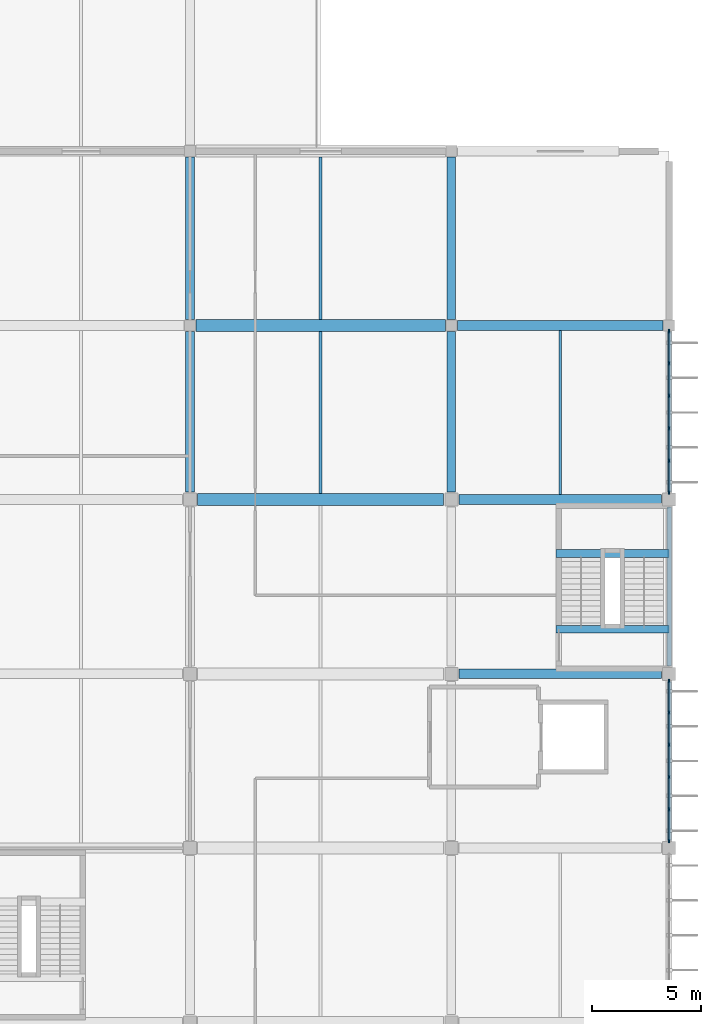
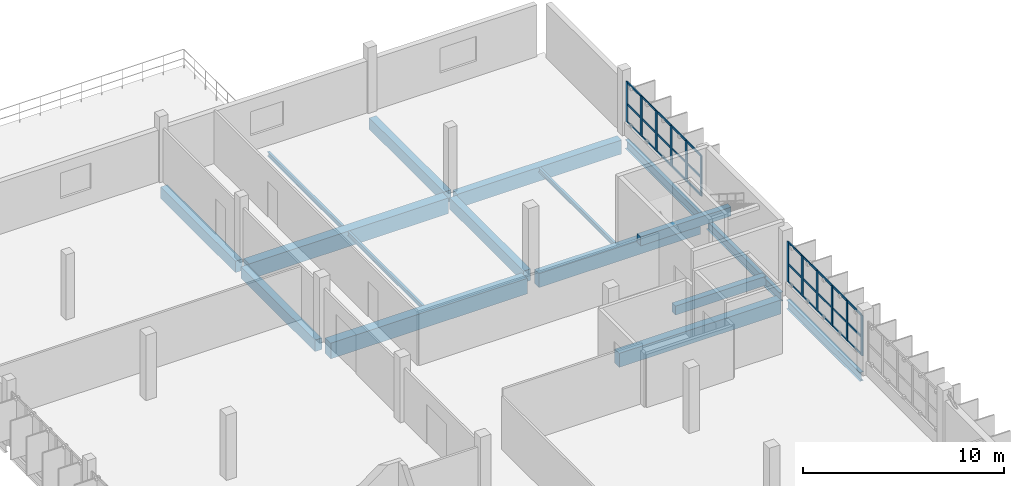
# One storey, part 34 of 66: 42 members, 17 beams, 2 elements without a shape of their own.
"""IFC4 building model written with IfcOpenShell, lengths in metres."""

from ifc_helpers import new_model, si_unit, direction, frame, origin, origin_2d, place, context, subcontext, project, spatial, rectangle, i_section, extrude, material, layer, layer_set, material_profile, profile_set, type_object, element, aggregate, save


model = new_model("IFC4")

# Units and contexts
model_context = context("Model", 3, precision=1e-05, world=origin(), true_north=direction((0.0, 1.0)))
body_context = subcontext(model_context, "Body", "Model", "MODEL_VIEW")
ifc_project = project(units=[si_unit("LENGTHUNIT", "METRE"), si_unit("AREAUNIT", "SQUARE_METRE"), si_unit("VOLUMEUNIT", "CUBIC_METRE"), si_unit("PLANEANGLEUNIT", "RADIAN"), si_unit("MASSUNIT", "GRAM", prefix="KILO")], contexts=[model_context])

# Site, building, storey
site_placement = place(None, origin())
site = spatial("IfcSite", under=ifc_project, at=site_placement, CompositionType="ELEMENT")
building_placement = place(site_placement, origin())
building = spatial("IfcBuilding", under=site, at=building_placement, Name="Drelvana Railside Aquatics Centre", CompositionType="ELEMENT")
storey_placement = place(building_placement, frame((0.0, 0.0, 10.199951171875)))
storey = spatial("IfcBuildingStorey", under=building, at=storey_placement, Name="L02", CompositionType="ELEMENT", Elevation=10.199951171875)

# Curtain wall, members
ifc_material_1 = material(Name="Bronze-anodised aluminium curtain wall", Category="aluminium")
ifc_layer = layer(ifc_material_1, 0.175048828125, Name="Bronze-anodised aluminium curtain wall")
ifc_layer_set = layer_set([ifc_layer], Name="Bronze-anodised aluminium curtain wall")
curtain_wall_type = type_object("IfcCurtainWallType", Name="CW-Z6-WING", PredefinedType="NOTDEFINED", material=ifc_layer_set)
curtain_wall_1_placement = place(storey_placement, origin())
curtain_wall_1 = element("IfcCurtainWall", 1, at=curtain_wall_1_placement, inside=storey, type_object=curtain_wall_type, Name="Curtain wall CW-06-181", PredefinedType="NOTDEFINED")
ifc_material_2 = material(Name="Bronze-anodised aluminium 6063-T6", Category="aluminium")
ifc_material_profile_1 = material_profile(ifc_material_2, rectangle(XDim=0.06494140625, YDim=0.175048828125, at=origin_2d()), Name="ALU-M 65x175")
ifc_profile_set_1 = profile_set([ifc_material_profile_1], Name="Bronze-anodised aluminium 6063-T6")
member_type_1 = type_object("IfcMemberType", Name="CW-Z6-WING-MUL", PredefinedType="MULLION", material=ifc_profile_set_1)
member_1_placement = place(storey_placement, frame((184.0, 64.326416015625, 0.7939453125), z_axis=(0.0, 0.0, 1.0), x_axis=(-1.0, 0.0, 0.0)))
member_1 = element("IfcMember", 2, at=member_1_placement, type_object=member_type_1, Name="CW-06 mullion 1", PredefinedType="MULLION", context=body_context, shape_type="SweptSolid", body=[
    extrude(rectangle(XDim=0.06494140625, YDim=0.175048828125, at=origin_2d()), origin(), (0.0, 0.0, 1.0), 2.4560546875),
])
member_2_placement = place(storey_placement, frame((184.0, 65.7763671875, 0.7939453125), z_axis=(0.0, 0.0, 1.0), x_axis=(-1.0, 0.0, 0.0)))
member_2 = element("IfcMember", 3, at=member_2_placement, type_object=member_type_1, Name="CW-06 mullion 2", PredefinedType="MULLION", context=body_context, shape_type="SweptSolid", body=[
    extrude(rectangle(XDim=0.06494140625, YDim=0.175048828125, at=origin_2d()), origin(), (0.0, 0.0, 1.0), 2.4560546875),
])
member_3_placement = place(storey_placement, frame((184.0, 67.2587890625, 0.7939453125), z_axis=(0.0, 0.0, 1.0), x_axis=(-1.0, 0.0, 0.0)))
member_3 = element("IfcMember", 4, at=member_3_placement, type_object=member_type_1, Name="CW-06 mullion 3", PredefinedType="MULLION", context=body_context, shape_type="SweptSolid", body=[
    extrude(rectangle(XDim=0.06494140625, YDim=0.175048828125, at=origin_2d()), origin(), (0.0, 0.0, 1.0), 2.4560546875),
])
member_4_placement = place(storey_placement, frame((184.0, 68.7412109375, 0.7939453125), z_axis=(0.0, 0.0, 1.0), x_axis=(-1.0, 0.0, 0.0)))
member_4 = element("IfcMember", 5, at=member_4_placement, type_object=member_type_1, Name="CW-06 mullion 4", PredefinedType="MULLION", context=body_context, shape_type="SweptSolid", body=[
    extrude(rectangle(XDim=0.06494140625, YDim=0.175048828125, at=origin_2d()), origin(), (0.0, 0.0, 1.0), 2.4560546875),
])
member_5_placement = place(storey_placement, frame((184.0, 70.2236328125, 0.7939453125), z_axis=(0.0, 0.0, 1.0), x_axis=(-1.0, 0.0, 0.0)))
member_5 = element("IfcMember", 6, at=member_5_placement, type_object=member_type_1, Name="CW-06 mullion 5", PredefinedType="MULLION", context=body_context, shape_type="SweptSolid", body=[
    extrude(rectangle(XDim=0.06494140625, YDim=0.175048828125, at=origin_2d()), origin(), (0.0, 0.0, 1.0), 2.4560546875),
])
member_6_placement = place(storey_placement, frame((184.0, 71.673583984375, 0.7939453125), z_axis=(0.0, 0.0, 1.0), x_axis=(-1.0, 0.0, 0.0)))
member_6 = element("IfcMember", 7, at=member_6_placement, type_object=member_type_1, Name="CW-06 mullion 6", PredefinedType="MULLION", context=body_context, shape_type="SweptSolid", body=[
    extrude(rectangle(XDim=0.06494140625, YDim=0.175048828125, at=origin_2d()), origin(), (0.0, 0.0, 1.0), 2.4560546875),
])

curtain_wall_2_placement = place(storey_placement, origin())
curtain_wall_2 = element("IfcCurtainWall", 8, at=curtain_wall_2_placement, inside=storey, type_object=curtain_wall_type, Name="Curtain wall CW-06-186", PredefinedType="NOTDEFINED")
member_7_placement = place(storey_placement, frame((184.0, 80.326416015625, 0.7939453125), z_axis=(0.0, 0.0, 1.0), x_axis=(-1.0, 0.0, 0.0)))
member_7 = element("IfcMember", 9, at=member_7_placement, type_object=member_type_1, Name="CW-06 mullion 1", PredefinedType="MULLION", context=body_context, shape_type="SweptSolid", body=[
    extrude(rectangle(XDim=0.06494140625, YDim=0.175048828125, at=origin_2d()), origin(), (0.0, 0.0, 1.0), 2.4560546875),
])
member_8_placement = place(storey_placement, frame((184.0, 81.786376953125, 0.7939453125), z_axis=(0.0, 0.0, 1.0), x_axis=(-1.0, 0.0, 0.0)))
member_8 = element("IfcMember", 10, at=member_8_placement, type_object=member_type_1, Name="CW-06 mullion 2", PredefinedType="MULLION", context=body_context, shape_type="SweptSolid", body=[
    extrude(rectangle(XDim=0.06494140625, YDim=0.175048828125, at=origin_2d()), origin(), (0.0, 0.0, 1.0), 2.4560546875),
])
member_9_placement = place(storey_placement, frame((184.0, 83.27880859375, 0.7939453125), z_axis=(0.0, 0.0, 1.0), x_axis=(-1.0, 0.0, 0.0)))
member_9 = element("IfcMember", 11, at=member_9_placement, type_object=member_type_1, Name="CW-06 mullion 3", PredefinedType="MULLION", context=body_context, shape_type="SweptSolid", body=[
    extrude(rectangle(XDim=0.06494140625, YDim=0.175048828125, at=origin_2d()), origin(), (0.0, 0.0, 1.0), 2.4560546875),
])
member_10_placement = place(storey_placement, frame((184.0, 84.771240234375, 0.7939453125), z_axis=(0.0, 0.0, 1.0), x_axis=(-1.0, 0.0, 0.0)))
member_10 = element("IfcMember", 12, at=member_10_placement, type_object=member_type_1, Name="CW-06 mullion 4", PredefinedType="MULLION", context=body_context, shape_type="SweptSolid", body=[
    extrude(rectangle(XDim=0.06494140625, YDim=0.175048828125, at=origin_2d()), origin(), (0.0, 0.0, 1.0), 2.4560546875),
])
member_11_placement = place(storey_placement, frame((184.0, 86.263671875, 0.7939453125), z_axis=(0.0, 0.0, 1.0), x_axis=(-1.0, 0.0, 0.0)))
member_11 = element("IfcMember", 13, at=member_11_placement, type_object=member_type_1, Name="CW-06 mullion 5", PredefinedType="MULLION", context=body_context, shape_type="SweptSolid", body=[
    extrude(rectangle(XDim=0.06494140625, YDim=0.175048828125, at=origin_2d()), origin(), (0.0, 0.0, 1.0), 2.4560546875),
])
member_12_placement = place(storey_placement, frame((184.0, 87.723388671875, 0.7939453125), z_axis=(0.0, 0.0, 1.0), x_axis=(-1.0, 0.0, 0.0)))
member_12 = element("IfcMember", 14, at=member_12_placement, type_object=member_type_1, Name="CW-06 mullion 6", PredefinedType="MULLION", context=body_context, shape_type="SweptSolid", body=[
    extrude(rectangle(XDim=0.06494140625, YDim=0.175048828125, at=origin_2d()), origin(), (0.0, 0.0, 1.0), 2.4560546875),
])

# Member
ifc_material_profile_2 = material_profile(ifc_material_2, rectangle(XDim=0.1201171875, YDim=0.06005859375, at=origin_2d()), Name="ALU-T 60x120")
ifc_profile_set_2 = profile_set([ifc_material_profile_2], Name="Bronze-anodised aluminium 6063-T6")
member_type_2 = type_object("IfcMemberType", Name="CW-Z6-WING-TRN", PredefinedType="USERDEFINED", material=ifc_profile_set_2)
member_13_placement = place(storey_placement, frame((184.0, 64.35400390625, 0.823974609375), z_axis=(0.0, 1.0, 0.0), x_axis=(0.0, 0.0, 1.0)))
member_13 = element("IfcMember", 15, at=member_13_placement, type_object=member_type_2, Name="CW-06 transom 1.1", ObjectType="TRANSOM", PredefinedType="USERDEFINED", context=body_context, shape_type="SweptSolid", body=[
    extrude(rectangle(XDim=0.1201171875, YDim=0.06005859375, at=origin_2d()), origin(), (0.0, 0.0, 1.0), 1.394775390625),
])

member_14_placement = place(storey_placement, frame((184.0, 64.35400390625, 1.899169921875), z_axis=(0.0, 1.0, 0.0), x_axis=(0.0, 0.0, 1.0)))
member_14 = element("IfcMember", 16, at=member_14_placement, type_object=member_type_2, Name="CW-06 transom 1.2", ObjectType="TRANSOM", PredefinedType="USERDEFINED", context=body_context, shape_type="SweptSolid", body=[
    extrude(rectangle(XDim=0.1201171875, YDim=0.06005859375, at=origin_2d()), origin(), (0.0, 0.0, 1.0), 1.394775390625),
])

member_15_placement = place(storey_placement, frame((184.0, 64.35400390625, 3.219970703125), z_axis=(0.0, 1.0, 0.0), x_axis=(0.0, 0.0, 1.0)))
member_15 = element("IfcMember", 17, at=member_15_placement, type_object=member_type_2, Name="CW-06 transom 1.3", ObjectType="TRANSOM", PredefinedType="USERDEFINED", context=body_context, shape_type="SweptSolid", body=[
    extrude(rectangle(XDim=0.1201171875, YDim=0.06005859375, at=origin_2d()), origin(), (0.0, 0.0, 1.0), 1.394775390625),
])

member_16_placement = place(storey_placement, frame((184.0, 65.803955078125, 0.823974609375), z_axis=(0.0, 1.0, 0.0), x_axis=(0.0, 0.0, 1.0)))
member_16 = element("IfcMember", 18, at=member_16_placement, type_object=member_type_2, Name="CW-06 transom 2.1", ObjectType="TRANSOM", PredefinedType="USERDEFINED", context=body_context, shape_type="SweptSolid", body=[
    extrude(rectangle(XDim=0.1201171875, YDim=0.06005859375, at=origin_2d()), origin(), (0.0, 0.0, 1.0), 1.42724609375),
])

member_17_placement = place(storey_placement, frame((184.0, 65.803955078125, 1.899169921875), z_axis=(0.0, 1.0, 0.0), x_axis=(0.0, 0.0, 1.0)))
member_17 = element("IfcMember", 19, at=member_17_placement, type_object=member_type_2, Name="CW-06 transom 2.2", ObjectType="TRANSOM", PredefinedType="USERDEFINED", context=body_context, shape_type="SweptSolid", body=[
    extrude(rectangle(XDim=0.1201171875, YDim=0.06005859375, at=origin_2d()), origin(), (0.0, 0.0, 1.0), 1.42724609375),
])

member_18_placement = place(storey_placement, frame((184.0, 65.803955078125, 3.219970703125), z_axis=(0.0, 1.0, 0.0), x_axis=(0.0, 0.0, 1.0)))
member_18 = element("IfcMember", 20, at=member_18_placement, type_object=member_type_2, Name="CW-06 transom 2.3", ObjectType="TRANSOM", PredefinedType="USERDEFINED", context=body_context, shape_type="SweptSolid", body=[
    extrude(rectangle(XDim=0.1201171875, YDim=0.06005859375, at=origin_2d()), origin(), (0.0, 0.0, 1.0), 1.42724609375),
])

member_19_placement = place(storey_placement, frame((184.0, 67.286376953125, 0.823974609375), z_axis=(0.0, 1.0, 0.0), x_axis=(0.0, 0.0, 1.0)))
member_19 = element("IfcMember", 21, at=member_19_placement, type_object=member_type_2, Name="CW-06 transom 3.1", ObjectType="TRANSOM", PredefinedType="USERDEFINED", context=body_context, shape_type="SweptSolid", body=[
    extrude(rectangle(XDim=0.1201171875, YDim=0.06005859375, at=origin_2d()), origin(), (0.0, 0.0, 1.0), 1.42724609375),
])

member_20_placement = place(storey_placement, frame((184.0, 67.286376953125, 1.899169921875), z_axis=(0.0, 1.0, 0.0), x_axis=(0.0, 0.0, 1.0)))
member_20 = element("IfcMember", 22, at=member_20_placement, type_object=member_type_2, Name="CW-06 transom 3.2", ObjectType="TRANSOM", PredefinedType="USERDEFINED", context=body_context, shape_type="SweptSolid", body=[
    extrude(rectangle(XDim=0.1201171875, YDim=0.06005859375, at=origin_2d()), origin(), (0.0, 0.0, 1.0), 1.42724609375),
])

member_21_placement = place(storey_placement, frame((184.0, 67.286376953125, 3.219970703125), z_axis=(0.0, 1.0, 0.0), x_axis=(0.0, 0.0, 1.0)))
member_21 = element("IfcMember", 23, at=member_21_placement, type_object=member_type_2, Name="CW-06 transom 3.3", ObjectType="TRANSOM", PredefinedType="USERDEFINED", context=body_context, shape_type="SweptSolid", body=[
    extrude(rectangle(XDim=0.1201171875, YDim=0.06005859375, at=origin_2d()), origin(), (0.0, 0.0, 1.0), 1.42724609375),
])

member_22_placement = place(storey_placement, frame((184.0, 68.768798828125, 0.823974609375), z_axis=(0.0, 1.0, 0.0), x_axis=(0.0, 0.0, 1.0)))
member_22 = element("IfcMember", 24, at=member_22_placement, type_object=member_type_2, Name="CW-06 transom 4.1", ObjectType="TRANSOM", PredefinedType="USERDEFINED", context=body_context, shape_type="SweptSolid", body=[
    extrude(rectangle(XDim=0.1201171875, YDim=0.06005859375, at=origin_2d()), origin(), (0.0, 0.0, 1.0), 1.42724609375),
])

member_23_placement = place(storey_placement, frame((184.0, 68.768798828125, 1.899169921875), z_axis=(0.0, 1.0, 0.0), x_axis=(0.0, 0.0, 1.0)))
member_23 = element("IfcMember", 25, at=member_23_placement, type_object=member_type_2, Name="CW-06 transom 4.2", ObjectType="TRANSOM", PredefinedType="USERDEFINED", context=body_context, shape_type="SweptSolid", body=[
    extrude(rectangle(XDim=0.1201171875, YDim=0.06005859375, at=origin_2d()), origin(), (0.0, 0.0, 1.0), 1.42724609375),
])

member_24_placement = place(storey_placement, frame((184.0, 68.768798828125, 3.219970703125), z_axis=(0.0, 1.0, 0.0), x_axis=(0.0, 0.0, 1.0)))
member_24 = element("IfcMember", 26, at=member_24_placement, type_object=member_type_2, Name="CW-06 transom 4.3", ObjectType="TRANSOM", PredefinedType="USERDEFINED", context=body_context, shape_type="SweptSolid", body=[
    extrude(rectangle(XDim=0.1201171875, YDim=0.06005859375, at=origin_2d()), origin(), (0.0, 0.0, 1.0), 1.42724609375),
])

member_25_placement = place(storey_placement, frame((184.0, 70.251220703125, 0.823974609375), z_axis=(0.0, 1.0, 0.0), x_axis=(0.0, 0.0, 1.0)))
member_25 = element("IfcMember", 27, at=member_25_placement, type_object=member_type_2, Name="CW-06 transom 5.1", ObjectType="TRANSOM", PredefinedType="USERDEFINED", context=body_context, shape_type="SweptSolid", body=[
    extrude(rectangle(XDim=0.1201171875, YDim=0.06005859375, at=origin_2d()), origin(), (0.0, 0.0, 1.0), 1.394775390625),
])

member_26_placement = place(storey_placement, frame((184.0, 70.251220703125, 1.899169921875), z_axis=(0.0, 1.0, 0.0), x_axis=(0.0, 0.0, 1.0)))
member_26 = element("IfcMember", 28, at=member_26_placement, type_object=member_type_2, Name="CW-06 transom 5.2", ObjectType="TRANSOM", PredefinedType="USERDEFINED", context=body_context, shape_type="SweptSolid", body=[
    extrude(rectangle(XDim=0.1201171875, YDim=0.06005859375, at=origin_2d()), origin(), (0.0, 0.0, 1.0), 1.394775390625),
])

member_27_placement = place(storey_placement, frame((184.0, 70.251220703125, 3.219970703125), z_axis=(0.0, 1.0, 0.0), x_axis=(0.0, 0.0, 1.0)))
member_27 = element("IfcMember", 29, at=member_27_placement, type_object=member_type_2, Name="CW-06 transom 5.3", ObjectType="TRANSOM", PredefinedType="USERDEFINED", context=body_context, shape_type="SweptSolid", body=[
    extrude(rectangle(XDim=0.1201171875, YDim=0.06005859375, at=origin_2d()), origin(), (0.0, 0.0, 1.0), 1.394775390625),
])

aggregate(curtain_wall_1, [member_1, member_2, member_3, member_4, member_5, member_6, member_13, member_14, member_15, member_16, member_17, member_18, member_19, member_20, member_21, member_22, member_23, member_24, member_25, member_26, member_27])

member_28_placement = place(storey_placement, frame((184.0, 80.35400390625, 0.823974609375), z_axis=(0.0, 1.0, 0.0), x_axis=(0.0, 0.0, 1.0)))
member_28 = element("IfcMember", 30, at=member_28_placement, type_object=member_type_2, Name="CW-06 transom 1.1", ObjectType="TRANSOM", PredefinedType="USERDEFINED", context=body_context, shape_type="SweptSolid", body=[
    extrude(rectangle(XDim=0.1201171875, YDim=0.06005859375, at=origin_2d()), origin(), (0.0, 0.0, 1.0), 1.40478515625),
])

member_29_placement = place(storey_placement, frame((184.0, 80.35400390625, 1.899169921875), z_axis=(0.0, 1.0, 0.0), x_axis=(0.0, 0.0, 1.0)))
member_29 = element("IfcMember", 31, at=member_29_placement, type_object=member_type_2, Name="CW-06 transom 1.2", ObjectType="TRANSOM", PredefinedType="USERDEFINED", context=body_context, shape_type="SweptSolid", body=[
    extrude(rectangle(XDim=0.1201171875, YDim=0.06005859375, at=origin_2d()), origin(), (0.0, 0.0, 1.0), 1.40478515625),
])

member_30_placement = place(storey_placement, frame((184.0, 80.35400390625, 3.219970703125), z_axis=(0.0, 1.0, 0.0), x_axis=(0.0, 0.0, 1.0)))
member_30 = element("IfcMember", 32, at=member_30_placement, type_object=member_type_2, Name="CW-06 transom 1.3", ObjectType="TRANSOM", PredefinedType="USERDEFINED", context=body_context, shape_type="SweptSolid", body=[
    extrude(rectangle(XDim=0.1201171875, YDim=0.06005859375, at=origin_2d()), origin(), (0.0, 0.0, 1.0), 1.40478515625),
])

member_31_placement = place(storey_placement, frame((184.0, 81.81396484375, 0.823974609375), z_axis=(0.0, 1.0, 0.0), x_axis=(0.0, 0.0, 1.0)))
member_31 = element("IfcMember", 33, at=member_31_placement, type_object=member_type_2, Name="CW-06 transom 2.1", ObjectType="TRANSOM", PredefinedType="USERDEFINED", context=body_context, shape_type="SweptSolid", body=[
    extrude(rectangle(XDim=0.1201171875, YDim=0.06005859375, at=origin_2d()), origin(), (0.0, 0.0, 1.0), 1.437255859375),
])

member_32_placement = place(storey_placement, frame((184.0, 81.81396484375, 1.899169921875), z_axis=(0.0, 1.0, 0.0), x_axis=(0.0, 0.0, 1.0)))
member_32 = element("IfcMember", 34, at=member_32_placement, type_object=member_type_2, Name="CW-06 transom 2.2", ObjectType="TRANSOM", PredefinedType="USERDEFINED", context=body_context, shape_type="SweptSolid", body=[
    extrude(rectangle(XDim=0.1201171875, YDim=0.06005859375, at=origin_2d()), origin(), (0.0, 0.0, 1.0), 1.437255859375),
])

member_33_placement = place(storey_placement, frame((184.0, 81.81396484375, 3.219970703125), z_axis=(0.0, 1.0, 0.0), x_axis=(0.0, 0.0, 1.0)))
member_33 = element("IfcMember", 35, at=member_33_placement, type_object=member_type_2, Name="CW-06 transom 2.3", ObjectType="TRANSOM", PredefinedType="USERDEFINED", context=body_context, shape_type="SweptSolid", body=[
    extrude(rectangle(XDim=0.1201171875, YDim=0.06005859375, at=origin_2d()), origin(), (0.0, 0.0, 1.0), 1.437255859375),
])

member_34_placement = place(storey_placement, frame((184.0, 83.306396484375, 0.823974609375), z_axis=(0.0, 1.0, 0.0), x_axis=(0.0, 0.0, 1.0)))
member_34 = element("IfcMember", 36, at=member_34_placement, type_object=member_type_2, Name="CW-06 transom 3.1", ObjectType="TRANSOM", PredefinedType="USERDEFINED", context=body_context, shape_type="SweptSolid", body=[
    extrude(rectangle(XDim=0.1201171875, YDim=0.06005859375, at=origin_2d()), origin(), (0.0, 0.0, 1.0), 1.437255859375),
])

member_35_placement = place(storey_placement, frame((184.0, 83.306396484375, 1.899169921875), z_axis=(0.0, 1.0, 0.0), x_axis=(0.0, 0.0, 1.0)))
member_35 = element("IfcMember", 37, at=member_35_placement, type_object=member_type_2, Name="CW-06 transom 3.2", ObjectType="TRANSOM", PredefinedType="USERDEFINED", context=body_context, shape_type="SweptSolid", body=[
    extrude(rectangle(XDim=0.1201171875, YDim=0.06005859375, at=origin_2d()), origin(), (0.0, 0.0, 1.0), 1.437255859375),
])

member_36_placement = place(storey_placement, frame((184.0, 83.306396484375, 3.219970703125), z_axis=(0.0, 1.0, 0.0), x_axis=(0.0, 0.0, 1.0)))
member_36 = element("IfcMember", 38, at=member_36_placement, type_object=member_type_2, Name="CW-06 transom 3.3", ObjectType="TRANSOM", PredefinedType="USERDEFINED", context=body_context, shape_type="SweptSolid", body=[
    extrude(rectangle(XDim=0.1201171875, YDim=0.06005859375, at=origin_2d()), origin(), (0.0, 0.0, 1.0), 1.437255859375),
])

member_37_placement = place(storey_placement, frame((184.0, 84.798583984375, 0.823974609375), z_axis=(0.0, 1.0, 0.0), x_axis=(0.0, 0.0, 1.0)))
member_37 = element("IfcMember", 39, at=member_37_placement, type_object=member_type_2, Name="CW-06 transom 4.1", ObjectType="TRANSOM", PredefinedType="USERDEFINED", context=body_context, shape_type="SweptSolid", body=[
    extrude(rectangle(XDim=0.1201171875, YDim=0.06005859375, at=origin_2d()), origin(), (0.0, 0.0, 1.0), 1.4375),
])

member_38_placement = place(storey_placement, frame((184.0, 84.798583984375, 1.899169921875), z_axis=(0.0, 1.0, 0.0), x_axis=(0.0, 0.0, 1.0)))
member_38 = element("IfcMember", 40, at=member_38_placement, type_object=member_type_2, Name="CW-06 transom 4.2", ObjectType="TRANSOM", PredefinedType="USERDEFINED", context=body_context, shape_type="SweptSolid", body=[
    extrude(rectangle(XDim=0.1201171875, YDim=0.06005859375, at=origin_2d()), origin(), (0.0, 0.0, 1.0), 1.4375),
])

member_39_placement = place(storey_placement, frame((184.0, 84.798583984375, 3.219970703125), z_axis=(0.0, 1.0, 0.0), x_axis=(0.0, 0.0, 1.0)))
member_39 = element("IfcMember", 41, at=member_39_placement, type_object=member_type_2, Name="CW-06 transom 4.3", ObjectType="TRANSOM", PredefinedType="USERDEFINED", context=body_context, shape_type="SweptSolid", body=[
    extrude(rectangle(XDim=0.1201171875, YDim=0.06005859375, at=origin_2d()), origin(), (0.0, 0.0, 1.0), 1.4375),
])

member_40_placement = place(storey_placement, frame((184.0, 86.291015625, 0.823974609375), z_axis=(0.0, 1.0, 0.0), x_axis=(0.0, 0.0, 1.0)))
member_40 = element("IfcMember", 42, at=member_40_placement, type_object=member_type_2, Name="CW-06 transom 5.1", ObjectType="TRANSOM", PredefinedType="USERDEFINED", context=body_context, shape_type="SweptSolid", body=[
    extrude(rectangle(XDim=0.1201171875, YDim=0.06005859375, at=origin_2d()), origin(), (0.0, 0.0, 1.0), 1.405029296875),
])

member_41_placement = place(storey_placement, frame((184.0, 86.291015625, 1.899169921875), z_axis=(0.0, 1.0, 0.0), x_axis=(0.0, 0.0, 1.0)))
member_41 = element("IfcMember", 43, at=member_41_placement, type_object=member_type_2, Name="CW-06 transom 5.2", ObjectType="TRANSOM", PredefinedType="USERDEFINED", context=body_context, shape_type="SweptSolid", body=[
    extrude(rectangle(XDim=0.1201171875, YDim=0.06005859375, at=origin_2d()), origin(), (0.0, 0.0, 1.0), 1.405029296875),
])

member_42_placement = place(storey_placement, frame((184.0, 86.291015625, 3.219970703125), z_axis=(0.0, 1.0, 0.0), x_axis=(0.0, 0.0, 1.0)))
member_42 = element("IfcMember", 44, at=member_42_placement, type_object=member_type_2, Name="CW-06 transom 5.3", ObjectType="TRANSOM", PredefinedType="USERDEFINED", context=body_context, shape_type="SweptSolid", body=[
    extrude(rectangle(XDim=0.1201171875, YDim=0.06005859375, at=origin_2d()), origin(), (0.0, 0.0, 1.0), 1.405029296875),
])

aggregate(curtain_wall_2, [member_7, member_8, member_9, member_10, member_11, member_12, member_28, member_29, member_30, member_31, member_32, member_33, member_34, member_35, member_36, member_37, member_38, member_39, member_40, member_41, member_42])

# Beams
ifc_material_3 = material(Name="Concrete C40/50", Category="concrete")
ifc_material_profile_3 = material_profile(ifc_material_3, rectangle(XDim=0.35009765625, YDim=0.550048828125, at=origin_2d()), Name="RC 350x550")
ifc_profile_set_3 = profile_set([ifc_material_profile_3], Name="Concrete C40/50")
beam_type_1 = type_object("IfcBeamType", Name="STR-BM-BM-01-RC-350x550", PredefinedType="BEAM", material=ifc_profile_set_3)
for number, where, z_axis, x_axis, name in (
    (45, (178.800048828125, 74.050048828125, -0.474853515625), (1.0, 0.0, 0.0), (0.0, 1.0, 0.0), "Stair ST-07 L02 landing beam"),
    (46, (178.800048828125, 77.52490234375, 1.625), (1.0, 0.0, 0.0), (0.0, 1.0, 0.0), "Stair ST-07 L02 mid-landing beam"),
):
    element("IfcBeam", number, at=place(storey_placement, frame(where, z_axis=z_axis, x_axis=x_axis)), inside=storey, type_object=beam_type_1, Name=name, PredefinedType="BEAM", context=body_context, shape_type="SweptSolid", body=[
        extrude(rectangle(XDim=0.35009765625, YDim=0.550048828125, at=origin_2d()), origin(), (0.0, 0.0, 1.0), 5.199951171875),
    ])
ifc_material_profile_4 = material_profile(ifc_material_3, rectangle(XDim=0.39990234375, YDim=0.699951171875, at=origin_2d()), Name="RC 400x700")
ifc_profile_set_4 = profile_set([ifc_material_profile_4], Name="Concrete C40/50")
beam_type_2 = type_object("IfcBeamType", Name="STR-BM-BM-03-RC-400x700", PredefinedType="BEAM", material=ifc_profile_set_4)
beam_1_placement = place(storey_placement, frame((162.0, 80.35009765625, -0.599853515625), z_axis=(0.0, 1.0, 0.0), x_axis=(-1.0, 0.0, 0.0)))
element("IfcBeam", 47, at=beam_1_placement, inside=storey, type_object=beam_type_2, Name="Girder BM-03 (L02)", PredefinedType="BEAM", context=body_context, shape_type="SweptSolid", body=[
    extrude(rectangle(XDim=0.39990234375, YDim=0.699951171875, at=origin_2d()), origin(), (0.0, 0.0, 1.0), 7.375),
])
beam_2_placement = place(storey_placement, frame((162.0, 88.27490234375, -0.599853515625), z_axis=(0.0, 1.0, 0.0), x_axis=(-1.0, 0.0, 0.0)))
element("IfcBeam", 48, at=beam_2_placement, inside=storey, type_object=beam_type_2, Name="Girder BM-03 (L02)", PredefinedType="BEAM", context=body_context, shape_type="SweptSolid", body=[
    extrude(rectangle(XDim=0.39990234375, YDim=0.699951171875, at=origin_2d()), origin(), (0.0, 0.0, 1.0), 7.4501953125),
])
beam_3_placement = place(storey_placement, frame((174.0, 80.35009765625, -0.599853515625), z_axis=(0.0, 1.0, 0.0), x_axis=(-1.0, 0.0, 0.0)))
element("IfcBeam", 49, at=beam_3_placement, inside=storey, type_object=beam_type_2, Name="Girder BM-03 (L02)", PredefinedType="BEAM", context=body_context, shape_type="SweptSolid", body=[
    extrude(rectangle(XDim=0.39990234375, YDim=0.699951171875, at=origin_2d()), origin(), (0.0, 0.0, 1.0), 7.375),
])
beam_4_placement = place(storey_placement, frame((174.0, 88.27490234375, -0.599853515625), z_axis=(0.0, 1.0, 0.0), x_axis=(-1.0, 0.0, 0.0)))
element("IfcBeam", 50, at=beam_4_placement, inside=storey, type_object=beam_type_2, Name="Girder BM-03 (L02)", PredefinedType="BEAM", context=body_context, shape_type="SweptSolid", body=[
    extrude(rectangle(XDim=0.39990234375, YDim=0.699951171875, at=origin_2d()), origin(), (0.0, 0.0, 1.0), 7.4501953125),
])
ifc_material_profile_5 = material_profile(ifc_material_3, rectangle(XDim=0.449951171875, YDim=0.85009765625, at=origin_2d()), Name="RC 450x850")
ifc_profile_set_5 = profile_set([ifc_material_profile_5], Name="Concrete C40/50")
beam_type_3 = type_object("IfcBeamType", Name="STR-BM-BM-05-RC-450x850", PredefinedType="BEAM", material=ifc_profile_set_5)
for number, where, z_axis, x_axis, name in (
    (51, (174.35009765625, 72.0, -0.675048828125), (1.0, 0.0, 0.0), (0.0, 1.0, 0.0), "Girder BM-05 (L02)"),
    (52, (174.35009765625, 80.0, -0.675048828125), (1.0, 0.0, 0.0), (0.0, 1.0, 0.0), "Girder BM-05 (L02)"),
):
    element("IfcBeam", number, at=place(storey_placement, frame(where, z_axis=z_axis, x_axis=x_axis)), inside=storey, type_object=beam_type_3, Name=name, PredefinedType="BEAM", context=body_context, shape_type="SweptSolid", body=[
        extrude(rectangle(XDim=0.449951171875, YDim=0.85009765625, at=origin_2d()), origin(), (0.0, 0.0, 1.0), 9.2998046875),
    ])
beam_5_placement = place(storey_placement, frame((174.27490234375, 88.0, -0.675048828125), z_axis=(1.0, 0.0, 0.0), x_axis=(0.0, 1.0, 0.0)))
element("IfcBeam", 53, at=beam_5_placement, inside=storey, type_object=beam_type_3, Name="Girder BM-05 (L02)", PredefinedType="BEAM", context=body_context, shape_type="SweptSolid", body=[
    extrude(rectangle(XDim=0.449951171875, YDim=0.85009765625, at=origin_2d()), origin(), (0.0, 0.0, 1.0), 9.4501953125),
])
ifc_material_profile_6 = material_profile(ifc_material_3, rectangle(XDim=0.550048828125, YDim=0.949951171875, at=origin_2d()), Name="RC 550x950")
ifc_profile_set_6 = profile_set([ifc_material_profile_6], Name="Concrete C40/50")
beam_type_4 = type_object("IfcBeamType", Name="STR-BM-BM-08-RC-550x950", PredefinedType="BEAM", material=ifc_profile_set_6)
beam_6_placement = place(storey_placement, frame((162.35009765625, 80.0, -0.724853515625), z_axis=(1.0, 0.0, 0.0), x_axis=(0.0, 1.0, 0.0)))
element("IfcBeam", 54, at=beam_6_placement, inside=storey, type_object=beam_type_4, Name="Girder BM-08 (L02)", PredefinedType="BEAM", context=body_context, shape_type="SweptSolid", body=[
    extrude(rectangle(XDim=0.550048828125, YDim=0.949951171875, at=origin_2d()), origin(), (0.0, 0.0, 1.0), 11.2998046875),
])
beam_7_placement = place(storey_placement, frame((162.27490234375, 88.0, -0.724853515625), z_axis=(1.0, 0.0, 0.0), x_axis=(0.0, 1.0, 0.0)))
element("IfcBeam", 55, at=beam_7_placement, inside=storey, type_object=beam_type_4, Name="Girder BM-08 (L02)", PredefinedType="BEAM", context=body_context, shape_type="SweptSolid", body=[
    extrude(rectangle(XDim=0.550048828125, YDim=0.949951171875, at=origin_2d()), origin(), (0.0, 0.0, 1.0), 11.4501953125),
])
ifc_material_4 = material(Name="Structural steel S355", Category="steel")
ifc_material_profile_7 = material_profile(ifc_material_4, i_section(OverallWidth=0.2099609375, OverallDepth=0.550048828125, WebThickness=0.010986328125, FlangeThickness=0.01708984375, at=origin_2d()), Name="IPE 550")
ifc_profile_set_7 = profile_set([ifc_material_profile_7], Name="Structural steel S355")
beam_type_5 = type_object("IfcBeamType", Name="STR-SBM-SB-04-IPE-550", PredefinedType="SPANDREL", material=ifc_profile_set_7)
for number, where, z_axis, x_axis, name in (
    (56, (184.0, 64.35009765625, -0.52490234375), (0.0, 1.0, 0.0), (-1.0, 0.0, 0.0), "Girder SB-04 (L02)"),
    (57, (184.0, 72.35009765625, -0.52490234375), (0.0, 1.0, 0.0), (-1.0, 0.0, 0.0), "Girder SB-04 (L02)"),
):
    element("IfcBeam", number, at=place(storey_placement, frame(where, z_axis=z_axis, x_axis=x_axis)), inside=storey, type_object=beam_type_5, Name=name, PredefinedType="SPANDREL", context=body_context, shape_type="SweptSolid", body=[
        extrude(i_section(OverallWidth=0.2099609375, OverallDepth=0.550048828125, WebThickness=0.010986328125, FlangeThickness=0.01708984375, at=origin_2d()), origin(), (0.0, 0.0, 1.0), 7.2998046875),
    ])
beam_8_placement = place(storey_placement, frame((184.0, 80.35009765625, -0.52490234375), z_axis=(0.0, 1.0, 0.0), x_axis=(-1.0, 0.0, 0.0)))
element("IfcBeam", 58, at=beam_8_placement, inside=storey, type_object=beam_type_5, Name="Girder SB-04 (L02)", PredefinedType="SPANDREL", context=body_context, shape_type="SweptSolid", body=[
    extrude(i_section(OverallWidth=0.2099609375, OverallDepth=0.550048828125, WebThickness=0.010986328125, FlangeThickness=0.01708984375, at=origin_2d()), origin(), (0.0, 0.0, 1.0), 7.375),
])
ifc_material_profile_8 = material_profile(ifc_material_4, i_section(OverallWidth=0.135009765625, OverallDepth=0.27001953125, WebThickness=0.006591796875, FlangeThickness=0.01025390625, at=origin_2d()), Name="IPE 270")
ifc_profile_set_8 = profile_set([ifc_material_profile_8], Name="Structural steel S355")
beam_type_6 = type_object("IfcBeamType", Name="STR-SBM-SJ-02-IPE-270", PredefinedType="JOIST", material=ifc_profile_set_8)
for number, where, z_axis, x_axis, name in (
    (59, (168.0, 80.27490234375, -0.385009765625), (0.0, 1.0, 0.0), (-1.0, 0.0, 0.0), "Secondary floor joist SJ-02 (L02)"),
    (60, (168.0, 88.27490234375, -0.385009765625), (0.0, 1.0, 0.0), (-1.0, 0.0, 0.0), "Secondary floor joist SJ-02 (L02)"),
):
    element("IfcBeam", number, at=place(storey_placement, frame(where, z_axis=z_axis, x_axis=x_axis)), inside=storey, type_object=beam_type_6, Name=name, PredefinedType="JOIST", context=body_context, shape_type="SweptSolid", body=[
        extrude(i_section(OverallWidth=0.135009765625, OverallDepth=0.27001953125, WebThickness=0.006591796875, FlangeThickness=0.01025390625, at=origin_2d()), origin(), (0.0, 0.0, 1.0), 7.4501953125),
    ])
beam_9_placement = place(storey_placement, frame((179.0, 80.22509765625, -0.385009765625), z_axis=(0.0, 1.0, 0.0), x_axis=(-1.0, 0.0, 0.0)))
element("IfcBeam", 61, at=beam_9_placement, inside=storey, type_object=beam_type_6, Name="Secondary floor joist SJ-02 (L02)", PredefinedType="JOIST", context=body_context, shape_type="SweptSolid", body=[
    extrude(i_section(OverallWidth=0.135009765625, OverallDepth=0.27001953125, WebThickness=0.006591796875, FlangeThickness=0.01025390625, at=origin_2d()), origin(), (0.0, 0.0, 1.0), 7.5498046875),
])

save(model, "model.ifc")
